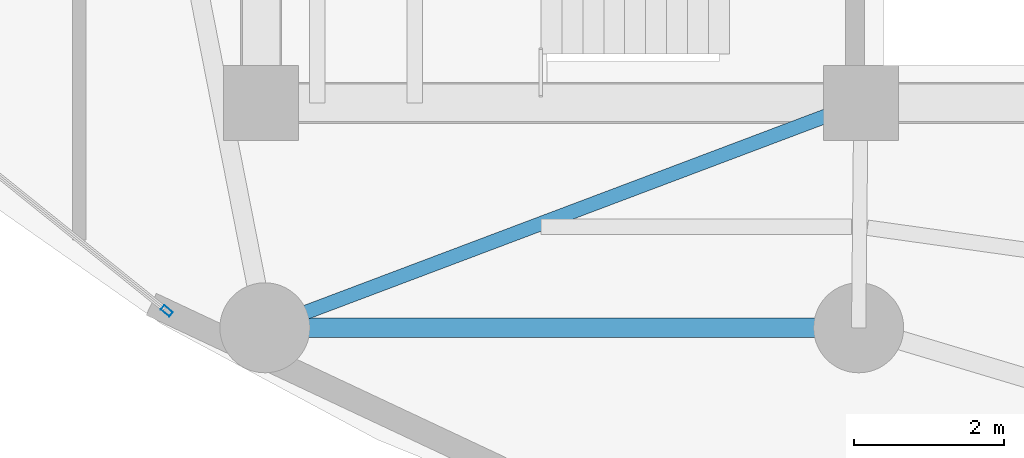
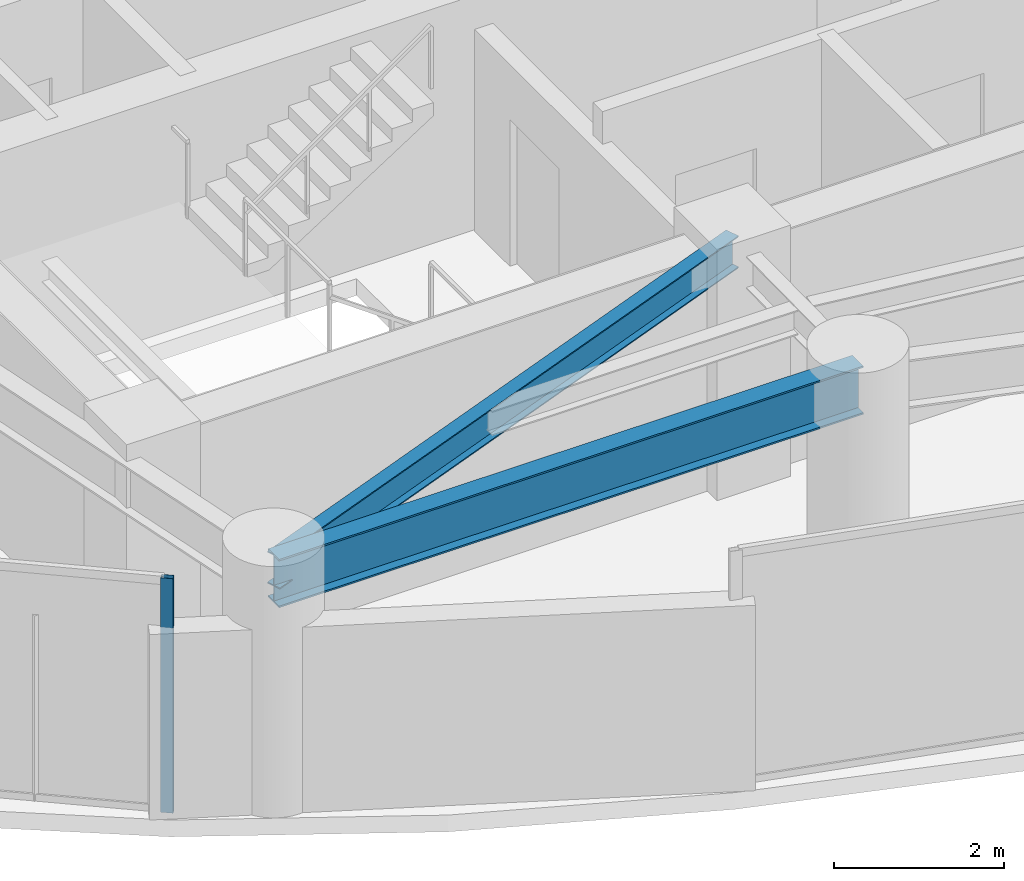
# One storey, part 2 of 33: 2 beams, 1 member, 1 element without a shape of its own.
"""IFC4 building model written with IfcOpenShell, lengths in metres."""

from ifc_helpers import new_model, si_unit, direction, frame, origin, origin_2d, place, context, subcontext, project, spatial, hollow_rectangle, i_section, extrude, material, layer, layer_set, material_profile, profile_set, type_object, element, aggregate, save


model = new_model("IFC4")

# Units and contexts
model_context = context("Model", 3, precision=1e-05, world=origin(), true_north=direction((0.0, 1.0)))
body_context = subcontext(model_context, "Body", "Model", "MODEL_VIEW")
ifc_project = project(units=[si_unit("LENGTHUNIT", "METRE"), si_unit("AREAUNIT", "SQUARE_METRE"), si_unit("VOLUMEUNIT", "CUBIC_METRE"), si_unit("PLANEANGLEUNIT", "RADIAN"), si_unit("MASSUNIT", "GRAM", prefix="KILO")], contexts=[model_context])

# Site, building, storey
site_placement = place(None, origin())
site = spatial("IfcSite", under=ifc_project, at=site_placement, CompositionType="ELEMENT")
building_placement = place(site_placement, origin())
building = spatial("IfcBuilding", under=site, at=building_placement, Name="Kazevale Care Tower and Concert Hall", CompositionType="ELEMENT")
storey_placement = place(building_placement, frame((0.0, 0.0, 149.39990234375)))
storey = spatial("IfcBuildingStorey", under=building, at=storey_placement, Name="L39", CompositionType="ELEMENT", Elevation=149.39990234375)

# Curtain wall, member
ifc_material_1 = material(Name="Aluminium 6063-T6 and Low-E Glass", Category="aluminium")
ifc_layer = layer(ifc_material_1, 0.179931640625)
ifc_layer_set = layer_set([ifc_layer], Name="Aluminium 6063-T6 and Low-E Glass")
curtain_wall_type = type_object("IfcCurtainWallType", Name="Sheltered Concave Balcony Curtain Wall CW-5", PredefinedType="NOTDEFINED", material=ifc_layer_set)
curtain_wall_placement = place(storey_placement, origin())
curtain_wall = element("IfcCurtainWall", 1, at=curtain_wall_placement, inside=storey, type_object=curtain_wall_type, Name="cw:L39:f10", PredefinedType="NOTDEFINED")
ifc_material_2 = material(Name="Aluminium 6063-T6", Category="aluminium")
ifc_material_profile_1 = material_profile(ifc_material_2, hollow_rectangle(XDim=0.074951171875, YDim=0.14990234375, WallThickness=0.00390625, at=origin_2d()), Name="ALU75x150x4")
ifc_profile_set_1 = profile_set([ifc_material_profile_1], Name="Aluminium 6063-T6")
member_type = type_object("IfcMemberType", Name="CW-5 Mullion ALU75x150x4", PredefinedType="MULLION", material=ifc_profile_set_1)
member_placement = place(storey_placement, frame((20.74072265625, 20.826416015625, 0.0), z_axis=(0.0, 0.0, 1.0), x_axis=(-0.626905357502, -0.779095419531, 0.0)))
member = element("IfcMember", 2, at=member_placement, type_object=member_type, Name="CW-5 mullion 1", PredefinedType="MULLION", context=body_context, shape_type="SweptSolid", body=[
    extrude(hollow_rectangle(XDim=0.074951171875, YDim=0.14990234375, WallThickness=0.00390625, at=origin_2d()), origin(), (0.0, 0.0, 1.0), 3.360107421875),
])
aggregate(curtain_wall, [member])

# Beams
ifc_material_3 = material(Name="Steel ASTM A572 Gr 50", Category="steel")
ifc_material_profile_2 = material_profile(ifc_material_3, i_section(OverallWidth=0.19091796875, OverallDepth=0.4599609375, WebThickness=0.010009765625, FlangeThickness=0.01611328125, at=origin_2d()), Name="W460x82")
ifc_profile_set_2 = profile_set([ifc_material_profile_2], Name="Steel ASTM A572 Gr 50")
beam_type_1 = type_object("IfcBeamType", Name="Radial Floor Beam W460x82", PredefinedType="BEAM", material=ifc_profile_set_2)
beam_1_placement = place(storey_placement, frame((30.0, 23.60009765625, 3.130126953125), z_axis=(-0.935601002663, -0.353059150592, 0.0), x_axis=(0.353059150592, -0.935601002663, 0.0)))
element("IfcBeam", 3, at=beam_1_placement, inside=storey, type_object=beam_type_1, Name="beam:L39:rad:10", PredefinedType="BEAM", context=body_context, shape_type="SweptSolid", body=[
    extrude(i_section(OverallWidth=0.19091796875, OverallDepth=0.4599609375, WebThickness=0.010009765625, FlangeThickness=0.01611328125, at=origin_2d()), origin(), (0.0, 0.0, 1.0), 8.4970703125),
])
ifc_material_profile_3 = material_profile(ifc_material_3, i_section(OverallWidth=0.256103515625, OverallDepth=0.693115234375, WebThickness=0.014404296875, FlangeThickness=0.023681640625, at=origin_2d()), Name="W690x170")
ifc_profile_set_3 = profile_set([ifc_material_profile_3], Name="Steel ASTM A572 Gr 50")
beam_type_2 = type_object("IfcBeamType", Name="Waist Ring Beam W690x170", PredefinedType="BEAM", material=ifc_profile_set_3)
beam_2_placement = place(storey_placement, frame((22.050048828125, 20.60009765625, 3.013671875), z_axis=(1.0, 0.0, 0.0), x_axis=(0.0, 1.0, 0.0)))
element("IfcBeam", 4, at=beam_2_placement, inside=storey, type_object=beam_type_2, Name="beam:L39:ring:10", PredefinedType="BEAM", context=body_context, shape_type="SweptSolid", body=[
    extrude(i_section(OverallWidth=0.256103515625, OverallDepth=0.693115234375, WebThickness=0.014404296875, FlangeThickness=0.023681640625, at=origin_2d()), origin(), (0.0, 0.0, 1.0), 7.919921875),
])

save(model, "model.ifc")
